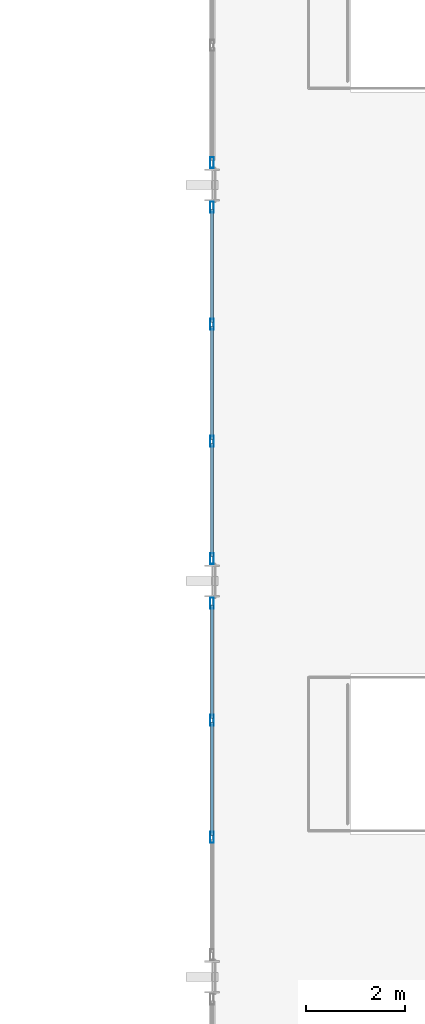
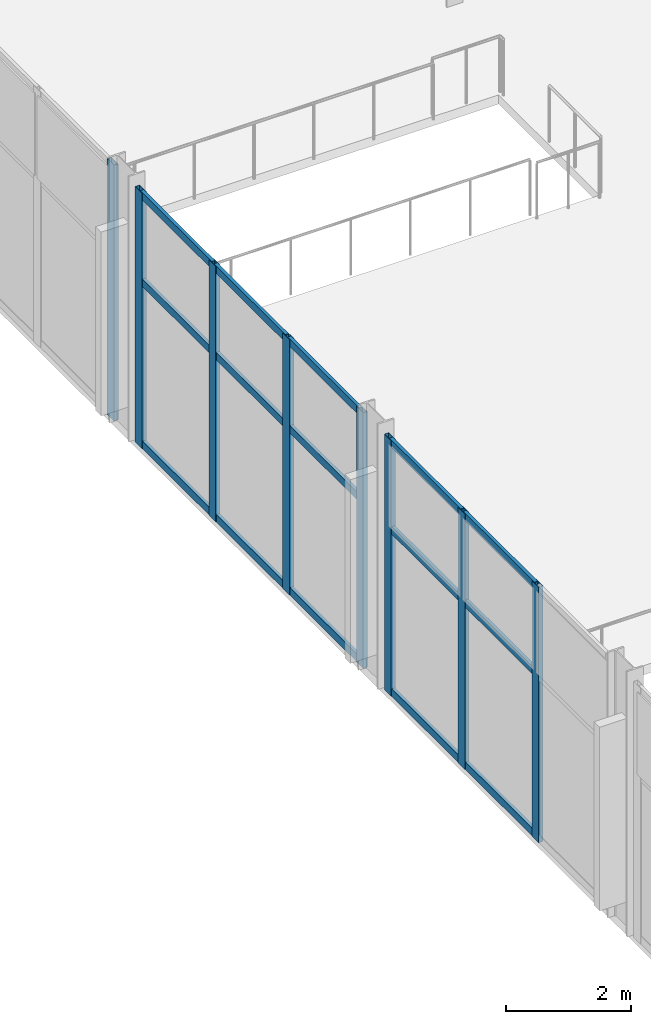
# One storey, part 31 of 195: 23 members, 3 elements without a shape of their own.
"""IFC4 building model written with IfcOpenShell, lengths in metres."""

import ifcopenshell
import ifcopenshell.guid

model = None  # the IFC model being written
_history = None  # IfcOwnerHistory: only IFC2X3 demands one
_inside = {}  # id of a spatial element -> (the spatial element, [elements in it])
_under = {}  # id of a project, library or spatial element -> (it, [spatial elements below it])
_declared = {}  # id of a project -> (the project, [libraries it declares])
_typed = {}  # id of a type object -> (the type object, [elements of that type])
_made_of = {}  # id of a material, layer set ... -> (it, [elements and type objects made of it])


def new_model(schema):
    """Start an empty IFC model of exactly this schema.

    Asked for "IFC4X3", IfcOpenShell would pick the latest addendum, in which some entities
    have other attributes; the version numbers below select the first issue.
    IFC2X3 requires an IfcOwnerHistory on every rooted entity: one is made here for all.
    """
    global model, _history
    if schema == "IFC4X3":
        model = ifcopenshell.file(schema_version=(4, 3, 0, 0))
    else:
        model = ifcopenshell.file(schema=schema)
    _inside.clear()
    _under.clear()
    _declared.clear()
    _typed.clear()
    _made_of.clear()
    _history = None
    if model.schema == "IFC2X3":
        org = make("IfcOrganization", Name="unknown")
        user = make(
            "IfcPersonAndOrganization",
            ThePerson=make("IfcPerson", FamilyName="unknown"),
            TheOrganization=org,
        )
        app = make(
            "IfcApplication",
            ApplicationDeveloper=org,
            Version="unknown",
            ApplicationFullName="unknown",
            ApplicationIdentifier="unknown",
        )
        _history = make(
            "IfcOwnerHistory",
            OwningUser=user,
            OwningApplication=app,
            ChangeAction="ADDED",
            CreationDate=0,
        )
    return model


def make(cls, **values):
    """One entity of the class cls with the attributes given. An attribute that is None is left unset."""
    return model.create_entity(
        cls, **{name: value for name, value in values.items() if value is not None}
    )


def rooted(cls, **values):
    """An entity with a GlobalId (a new one), such as an element, a storey or a relation."""
    return make(cls, GlobalId=ifcopenshell.guid.new(), OwnerHistory=_history, **values)


def si_unit(unit_type, name, prefix=None):
    """IfcSIUnit, for example si_unit("LENGTHUNIT", "METRE", prefix="MILLI")."""
    return make("IfcSIUnit", UnitType=unit_type, Prefix=prefix, Name=name)


def assignment(units):
    """IfcUnitAssignment: the units of a project."""
    return None if units is None else make("IfcUnitAssignment", Units=units)


def point(xyz):
    """IfcCartesianPoint."""
    return None if xyz is None else make("IfcCartesianPoint", Coordinates=xyz)


def direction(xyz):
    """IfcDirection."""
    return None if xyz is None else make("IfcDirection", DirectionRatios=xyz)


def frame(location, z_axis=None, x_axis=None):
    """IfcAxis2Placement3D, a coordinate frame: its origin and axes. An axis left out is left unset."""
    return make(
        "IfcAxis2Placement3D",
        Location=point(location),
        Axis=direction(z_axis),
        RefDirection=direction(x_axis),
    )


def frame_2d(location, x_axis=None):
    """IfcAxis2Placement2D, a coordinate frame in the plane: its origin and x axis."""
    return make(
        "IfcAxis2Placement2D", Location=point(location), RefDirection=direction(x_axis)
    )


def origin():
    """The frame at (0, 0, 0) with its axes left unset."""
    return frame((0.0, 0.0, 0.0))


def origin_2d():
    """The frame at (0, 0) in the plane with its x axis left unset."""
    return frame_2d((0.0, 0.0))


def place(relative_to, where):
    """IfcLocalPlacement: puts the frame where relative to a parent placement (None: the world)."""
    return make(
        "IfcLocalPlacement", PlacementRelTo=relative_to, RelativePlacement=where
    )


def context(
    kind, dimensions, precision=None, world=None, true_north=None, identifier=None
):
    """IfcGeometricRepresentationContext, for example the 3D "Model" context."""
    return make(
        "IfcGeometricRepresentationContext",
        ContextIdentifier=identifier,
        ContextType=kind,
        CoordinateSpaceDimension=dimensions,
        Precision=precision,
        WorldCoordinateSystem=world,
        TrueNorth=true_north,
    )


def subcontext(parent, identifier, kind, view, scale=None):
    """IfcGeometricRepresentationSubContext, for example "Body" below "Model"."""
    return make(
        "IfcGeometricRepresentationSubContext",
        ContextIdentifier=identifier,
        ContextType=kind,
        ParentContext=parent,
        TargetScale=scale,
        TargetView=view,
    )


def project(units=None, contexts=None):
    """IfcProject with its units and contexts."""
    return rooted(
        "IfcProject",
        Name="project",
        RepresentationContexts=contexts,
        UnitsInContext=assignment(units),
    )


def spatial(cls, under=None, at=None, **own):
    """A site, building, storey or space (cls), placed at a placement, below another one or the project."""
    s = rooted(cls, ObjectPlacement=at, **own)
    if under is not None:
        _under.setdefault(under.id(), (under, []))[1].append(s)
    return s


def profile(cls, at=None, kind="AREA", **sizes):
    """A parametric profile (cls). Its sizes go by their IFC names, for example OverallWidth=200.0."""
    return make(cls, ProfileType=kind, Position=at, **sizes)


def hollow_rectangle(**sizes):
    """IfcRectangleHollowProfileDef."""
    return profile("IfcRectangleHollowProfileDef", **sizes)


def extrude(swept, where, along, depth):
    """IfcExtrudedAreaSolid: the profile swept, set in the frame where, extruded along a direction by depth."""
    return make(
        "IfcExtrudedAreaSolid",
        SweptArea=swept,
        Position=where,
        ExtrudedDirection=direction(along),
        Depth=depth,
    )


def shape(context_of_items, identifier, shape_type, items):
    """IfcShapeRepresentation: the items that make up one representation, for example the "Body"."""
    return make(
        "IfcShapeRepresentation",
        ContextOfItems=context_of_items,
        RepresentationIdentifier=identifier,
        RepresentationType=shape_type,
        Items=items,
    )


def material(Name=None, Category=None):
    """IfcMaterial."""
    return make("IfcMaterial", Name=Name, Category=Category)


def layer(
    of_material, thickness, ventilated=None, Name=None, Category=None, Priority=None
):
    """IfcMaterialLayer: one layer of a wall or slab, of a material (None: an air gap)."""
    return make(
        "IfcMaterialLayer",
        Material=of_material,
        LayerThickness=thickness,
        IsVentilated=ventilated,
        Name=Name,
        Category=Category,
        Priority=Priority,
    )


def layer_set(layers, Name=None):
    """IfcMaterialLayerSet."""
    return make("IfcMaterialLayerSet", MaterialLayers=layers, LayerSetName=Name)


def material_profile(
    of_material, cross_section, Name=None, Category=None, Priority=None
):
    """IfcMaterialProfile: a cross section and its material."""
    return make(
        "IfcMaterialProfile",
        Name=Name,
        Material=of_material,
        Profile=cross_section,
        Priority=Priority,
        Category=Category,
    )


def profile_set(profiles, Name=None, composite=None):
    """IfcMaterialProfileSet."""
    return make(
        "IfcMaterialProfileSet",
        Name=Name,
        MaterialProfiles=profiles,
        CompositeProfile=composite,
    )


def made_of(thing, what):
    """Note that an element or type object is made of a material, layer set ...; save() writes the relation."""
    if what is not None:
        _made_of.setdefault(what.id(), (what, []))[1].append(thing)
    return thing


def type_object(cls, material=None, **own):
    """A type object (cls), such as IfcWallType, which elements share."""
    return made_of(rooted(cls, **own), material)


def element(
    cls,
    number,
    at=None,
    inside=None,
    cuts=None,
    type_object=None,
    material=None,
    context=None,
    identifier="Body",
    shape_type=None,
    held_by="IfcProductDefinitionShape",
    body=None,
    shapes=None,
    **own,
):
    """One element of the class cls, such as IfcWall. Its Tag is "e" and its number.

    at: its placement. inside: the storey or other place that contains it. cuts: it is an
    opening in that element (IfcRelVoidsElement). A single representation is given by context,
    identifier, shape_type and body (its items); several are given by shapes. held_by: the class
    of the entity that holds the representations. save() writes the other relations.
    """
    e = rooted(cls, Tag="e%d" % number, ObjectPlacement=at, **own)
    if body is not None:
        shapes = [shape(context, identifier, shape_type, body)]
    if shapes is not None:
        e.Representation = make(held_by, Representations=shapes)
    if inside is not None:
        _inside.setdefault(inside.id(), (inside, []))[1].append(e)
    if cuts is not None:
        rooted(
            "IfcRelVoidsElement", RelatingBuildingElement=cuts, RelatedOpeningElement=e
        )
    if type_object is not None:
        _typed.setdefault(type_object.id(), (type_object, []))[1].append(e)
    return made_of(e, material)


def aggregate(whole, parts):
    """IfcRelAggregates: a whole, such as a stair, and the parts it consists of."""
    return rooted("IfcRelAggregates", RelatingObject=whole, RelatedObjects=parts)


def save(model, path):
    """Write the relations noted so far, then the file.

    IfcRelAggregates (storeys below a building ...), IfcRelContainedInSpatialStructure (elements
    in a storey), IfcRelDefinesByType, IfcRelAssociatesMaterial and IfcRelDeclares: one each for
    every whole, place, type object, material and project.
    """
    for whole, parts in _under.values():
        aggregate(whole, parts)
    for where, things in _inside.values():
        rooted(
            "IfcRelContainedInSpatialStructure",
            RelatedElements=things,
            RelatingStructure=where,
        )
    for kind, things in _typed.values():
        rooted("IfcRelDefinesByType", RelatedObjects=things, RelatingType=kind)
    for what, things in _made_of.values():
        rooted("IfcRelAssociatesMaterial", RelatedObjects=things, RelatingMaterial=what)
    for by, libraries in _declared.values():
        rooted("IfcRelDeclares", RelatingContext=by, RelatedDefinitions=libraries)
    model.write(path)


model = new_model("IFC4")

# Units and contexts
model_context = context("Model", 3, precision=1e-05, world=origin(), true_north=direction((0.0, 1.0)))
body_context = subcontext(model_context, "Body", "Model", "MODEL_VIEW")
ifc_project = project(units=[si_unit("LENGTHUNIT", "METRE"), si_unit("AREAUNIT", "SQUARE_METRE"), si_unit("VOLUMEUNIT", "CUBIC_METRE"), si_unit("PLANEANGLEUNIT", "RADIAN"), si_unit("MASSUNIT", "GRAM", prefix="KILO")], contexts=[model_context])

# Site, building, storey
site_placement = place(None, origin())
site = spatial("IfcSite", under=ifc_project, at=site_placement, CompositionType="ELEMENT")
building_placement = place(site_placement, origin())
building = spatial("IfcBuilding", under=site, at=building_placement, Name="Marlcrest Central Station", CompositionType="ELEMENT")
storey_placement = place(building_placement, frame((0.0, 0.0, 9.800048828125)))
storey = spatial("IfcBuildingStorey", under=building, at=storey_placement, Name="L02", CompositionType="ELEMENT", Elevation=9.800048828125)

# Curtain wall, members
ifc_material_1 = material(Name="Anodised aluminium and hurricane laminated glass", Category="aluminium")
ifc_layer = layer(ifc_material_1, 0.219970703125, Name="CW-U1")
ifc_layer_set = layer_set([ifc_layer], Name="Anodised aluminium and hurricane laminated glass")
curtain_wall_type = type_object("IfcCurtainWallType", Name="CW-U1", PredefinedType="USERDEFINED", material=ifc_layer_set)
curtain_wall_1_placement = place(storey_placement, origin())
curtain_wall_1 = element("IfcCurtainWall", 1, at=curtain_wall_1_placement, inside=storey, type_object=curtain_wall_type, Name="cw-L02-0111", ObjectType="UNITISED_CURTAIN_WALL", PredefinedType="USERDEFINED")
ifc_material_2 = material(Name="Anodised aluminium 6063-T6", Category="aluminium")
ifc_material_profile_1 = material_profile(ifc_material_2, hollow_rectangle(XDim=0.080078125, YDim=0.219970703125, WallThickness=0.006103515625, at=origin_2d()), Name="AA-RHS 220x80x6")
ifc_profile_set_1 = profile_set([ifc_material_profile_1], Name="Anodised aluminium 6063-T6")
member_type_1 = type_object("IfcMemberType", Name="ML-01", PredefinedType="MULLION", material=ifc_profile_set_1)
member_1_placement = place(storey_placement, frame((87.0, 49.316650390625, -0.030029296875), z_axis=(0.0, 0.0, 1.0), x_axis=(1.0, 0.0, 0.0)))
member_1 = element("IfcMember", 2, at=member_1_placement, type_object=member_type_1, Name="cw-L02-0111-ml-1", PredefinedType="MULLION", context=body_context, shape_type="SweptSolid", body=[
    extrude(hollow_rectangle(XDim=0.080078125, YDim=0.219970703125, WallThickness=0.006103515625, at=origin_2d()), origin(), (0.0, 0.0, 1.0), 5.010009765625),
])
member_2_placement = place(storey_placement, frame((87.0, 51.683349609375, -0.030029296875), z_axis=(0.0, 0.0, 1.0), x_axis=(1.0, 0.0, 0.0)))
member_2 = element("IfcMember", 3, at=member_2_placement, type_object=member_type_1, Name="cw-L02-0111-ml-2", PredefinedType="MULLION", context=body_context, shape_type="SweptSolid", body=[
    extrude(hollow_rectangle(XDim=0.080078125, YDim=0.219970703125, WallThickness=0.006103515625, at=origin_2d()), origin(), (0.0, 0.0, 1.0), 5.010009765625),
])
member_3_placement = place(storey_placement, frame((87.0, 54.050048828125, -0.030029296875), z_axis=(0.0, 0.0, 1.0), x_axis=(1.0, 0.0, 0.0)))
member_3 = element("IfcMember", 4, at=member_3_placement, type_object=member_type_1, Name="cw-L02-0111-ml-3", PredefinedType="MULLION", context=body_context, shape_type="SweptSolid", body=[
    extrude(hollow_rectangle(XDim=0.080078125, YDim=0.219970703125, WallThickness=0.006103515625, at=origin_2d()), origin(), (0.0, 0.0, 1.0), 5.010009765625),
])

curtain_wall_2_placement = place(storey_placement, origin())
curtain_wall_2 = element("IfcCurtainWall", 5, at=curtain_wall_2_placement, inside=storey, type_object=curtain_wall_type, Name="cw-L02-0115", ObjectType="UNITISED_CURTAIN_WALL", PredefinedType="USERDEFINED")
member_4_placement = place(storey_placement, frame((87.0, 54.949951171875, -0.030029296875), z_axis=(0.0, 0.0, 1.0), x_axis=(1.0, 0.0, 0.0)))
member_4 = element("IfcMember", 6, at=member_4_placement, type_object=member_type_1, Name="cw-L02-0115-ml-0", PredefinedType="MULLION", context=body_context, shape_type="SweptSolid", body=[
    extrude(hollow_rectangle(XDim=0.080078125, YDim=0.219970703125, WallThickness=0.006103515625, at=origin_2d()), origin(), (0.0, 0.0, 1.0), 5.010009765625),
])
member_5_placement = place(storey_placement, frame((87.0, 57.316650390625, -0.030029296875), z_axis=(0.0, 0.0, 1.0), x_axis=(1.0, 0.0, 0.0)))
member_5 = element("IfcMember", 7, at=member_5_placement, type_object=member_type_1, Name="cw-L02-0115-ml-1", PredefinedType="MULLION", context=body_context, shape_type="SweptSolid", body=[
    extrude(hollow_rectangle(XDim=0.080078125, YDim=0.219970703125, WallThickness=0.006103515625, at=origin_2d()), origin(), (0.0, 0.0, 1.0), 5.010009765625),
])
member_6_placement = place(storey_placement, frame((87.0, 59.683349609375, -0.030029296875), z_axis=(0.0, 0.0, 1.0), x_axis=(1.0, 0.0, 0.0)))
member_6 = element("IfcMember", 8, at=member_6_placement, type_object=member_type_1, Name="cw-L02-0115-ml-2", PredefinedType="MULLION", context=body_context, shape_type="SweptSolid", body=[
    extrude(hollow_rectangle(XDim=0.080078125, YDim=0.219970703125, WallThickness=0.006103515625, at=origin_2d()), origin(), (0.0, 0.0, 1.0), 5.010009765625),
])
member_7_placement = place(storey_placement, frame((87.0, 62.050048828125, -0.030029296875), z_axis=(0.0, 0.0, 1.0), x_axis=(1.0, 0.0, 0.0)))
member_7 = element("IfcMember", 9, at=member_7_placement, type_object=member_type_1, Name="cw-L02-0115-ml-3", PredefinedType="MULLION", context=body_context, shape_type="SweptSolid", body=[
    extrude(hollow_rectangle(XDim=0.080078125, YDim=0.219970703125, WallThickness=0.006103515625, at=origin_2d()), origin(), (0.0, 0.0, 1.0), 5.010009765625),
])

# Curtain wall, member
curtain_wall_3_placement = place(storey_placement, origin())
curtain_wall_3 = element("IfcCurtainWall", 10, at=curtain_wall_3_placement, inside=storey, type_object=curtain_wall_type, Name="cw-L02-0119", ObjectType="UNITISED_CURTAIN_WALL", PredefinedType="USERDEFINED")
member_8_placement = place(storey_placement, frame((87.0, 62.949951171875, -0.030029296875), z_axis=(0.0, 0.0, 1.0), x_axis=(1.0, 0.0, 0.0)))
member_8 = element("IfcMember", 11, at=member_8_placement, type_object=member_type_1, Name="cw-L02-0119-ml-0", PredefinedType="MULLION", context=body_context, shape_type="SweptSolid", body=[
    extrude(hollow_rectangle(XDim=0.080078125, YDim=0.219970703125, WallThickness=0.006103515625, at=origin_2d()), origin(), (0.0, 0.0, 1.0), 5.010009765625),
])
aggregate(curtain_wall_3, [member_8])

# Member
ifc_material_profile_2 = material_profile(ifc_material_2, hollow_rectangle(XDim=0.06005859375, YDim=0.14990234375, WallThickness=0.00390625, at=origin_2d()), Name="AA-RHS 150x60x4")
ifc_profile_set_2 = profile_set([ifc_material_profile_2], Name="Anodised aluminium 6063-T6")
member_type_2 = type_object("IfcMemberType", Name="TR-01", PredefinedType="USERDEFINED", material=ifc_profile_set_2)
member_9_placement = place(storey_placement, frame((87.0, 49.354736328125, 0.0400390625), z_axis=(0.0, 1.0, 0.0), x_axis=(-1.0, 0.0, 0.0)))
member_9 = element("IfcMember", 12, at=member_9_placement, type_object=member_type_2, Name="cw-L02-0111-tr-1-sill", ObjectType="TRANSOM", PredefinedType="USERDEFINED", context=body_context, shape_type="SweptSolid", body=[
    extrude(hollow_rectangle(XDim=0.06005859375, YDim=0.14990234375, WallThickness=0.00390625, at=origin_2d()), origin(), (0.0, 0.0, 1.0), 2.29052734375),
])

member_10_placement = place(storey_placement, frame((87.0, 49.354736328125, 3.218017578125), z_axis=(0.0, 1.0, 0.0), x_axis=(-1.0, 0.0, 0.0)))
member_10 = element("IfcMember", 13, at=member_10_placement, type_object=member_type_2, Name="cw-L02-0111-tr-1-mid", ObjectType="TRANSOM", PredefinedType="USERDEFINED", context=body_context, shape_type="SweptSolid", body=[
    extrude(hollow_rectangle(XDim=0.06005859375, YDim=0.14990234375, WallThickness=0.00390625, at=origin_2d()), origin(), (0.0, 0.0, 1.0), 2.29052734375),
])

member_11_placement = place(storey_placement, frame((87.0, 49.354736328125, 4.909912109375), z_axis=(0.0, 1.0, 0.0), x_axis=(-1.0, 0.0, 0.0)))
member_11 = element("IfcMember", 14, at=member_11_placement, type_object=member_type_2, Name="cw-L02-0111-tr-1-head", ObjectType="TRANSOM", PredefinedType="USERDEFINED", context=body_context, shape_type="SweptSolid", body=[
    extrude(hollow_rectangle(XDim=0.06005859375, YDim=0.14990234375, WallThickness=0.00390625, at=origin_2d()), origin(), (0.0, 0.0, 1.0), 2.29052734375),
])

member_12_placement = place(storey_placement, frame((87.0, 51.72119140625, 0.0400390625), z_axis=(0.0, 1.0, 0.0), x_axis=(-1.0, 0.0, 0.0)))
member_12 = element("IfcMember", 15, at=member_12_placement, type_object=member_type_2, Name="cw-L02-0111-tr-2-sill", ObjectType="TRANSOM", PredefinedType="USERDEFINED", context=body_context, shape_type="SweptSolid", body=[
    extrude(hollow_rectangle(XDim=0.06005859375, YDim=0.14990234375, WallThickness=0.00390625, at=origin_2d()), origin(), (0.0, 0.0, 1.0), 2.290771484375),
])

member_13_placement = place(storey_placement, frame((87.0, 51.72119140625, 3.218017578125), z_axis=(0.0, 1.0, 0.0), x_axis=(-1.0, 0.0, 0.0)))
member_13 = element("IfcMember", 16, at=member_13_placement, type_object=member_type_2, Name="cw-L02-0111-tr-2-mid", ObjectType="TRANSOM", PredefinedType="USERDEFINED", context=body_context, shape_type="SweptSolid", body=[
    extrude(hollow_rectangle(XDim=0.06005859375, YDim=0.14990234375, WallThickness=0.00390625, at=origin_2d()), origin(), (0.0, 0.0, 1.0), 2.290771484375),
])

member_14_placement = place(storey_placement, frame((87.0, 51.72119140625, 4.909912109375), z_axis=(0.0, 1.0, 0.0), x_axis=(-1.0, 0.0, 0.0)))
member_14 = element("IfcMember", 17, at=member_14_placement, type_object=member_type_2, Name="cw-L02-0111-tr-2-head", ObjectType="TRANSOM", PredefinedType="USERDEFINED", context=body_context, shape_type="SweptSolid", body=[
    extrude(hollow_rectangle(XDim=0.06005859375, YDim=0.14990234375, WallThickness=0.00390625, at=origin_2d()), origin(), (0.0, 0.0, 1.0), 2.290771484375),
])

aggregate(curtain_wall_1, [member_1, member_2, member_3, member_9, member_10, member_11, member_12, member_13, member_14])

member_15_placement = place(storey_placement, frame((87.0, 54.988037109375, 0.0400390625), z_axis=(0.0, 1.0, 0.0), x_axis=(-1.0, 0.0, 0.0)))
member_15 = element("IfcMember", 18, at=member_15_placement, type_object=member_type_2, Name="cw-L02-0115-tr-0-sill", ObjectType="TRANSOM", PredefinedType="USERDEFINED", context=body_context, shape_type="SweptSolid", body=[
    extrude(hollow_rectangle(XDim=0.06005859375, YDim=0.14990234375, WallThickness=0.00390625, at=origin_2d()), origin(), (0.0, 0.0, 1.0), 2.290771484375),
])

member_16_placement = place(storey_placement, frame((87.0, 54.988037109375, 3.218017578125), z_axis=(0.0, 1.0, 0.0), x_axis=(-1.0, 0.0, 0.0)))
member_16 = element("IfcMember", 19, at=member_16_placement, type_object=member_type_2, Name="cw-L02-0115-tr-0-mid", ObjectType="TRANSOM", PredefinedType="USERDEFINED", context=body_context, shape_type="SweptSolid", body=[
    extrude(hollow_rectangle(XDim=0.06005859375, YDim=0.14990234375, WallThickness=0.00390625, at=origin_2d()), origin(), (0.0, 0.0, 1.0), 2.290771484375),
])

member_17_placement = place(storey_placement, frame((87.0, 54.988037109375, 4.909912109375), z_axis=(0.0, 1.0, 0.0), x_axis=(-1.0, 0.0, 0.0)))
member_17 = element("IfcMember", 20, at=member_17_placement, type_object=member_type_2, Name="cw-L02-0115-tr-0-head", ObjectType="TRANSOM", PredefinedType="USERDEFINED", context=body_context, shape_type="SweptSolid", body=[
    extrude(hollow_rectangle(XDim=0.06005859375, YDim=0.14990234375, WallThickness=0.00390625, at=origin_2d()), origin(), (0.0, 0.0, 1.0), 2.290771484375),
])

member_18_placement = place(storey_placement, frame((87.0, 57.354736328125, 0.0400390625), z_axis=(0.0, 1.0, 0.0), x_axis=(-1.0, 0.0, 0.0)))
member_18 = element("IfcMember", 21, at=member_18_placement, type_object=member_type_2, Name="cw-L02-0115-tr-1-sill", ObjectType="TRANSOM", PredefinedType="USERDEFINED", context=body_context, shape_type="SweptSolid", body=[
    extrude(hollow_rectangle(XDim=0.06005859375, YDim=0.14990234375, WallThickness=0.00390625, at=origin_2d()), origin(), (0.0, 0.0, 1.0), 2.29052734375),
])

member_19_placement = place(storey_placement, frame((87.0, 57.354736328125, 3.218017578125), z_axis=(0.0, 1.0, 0.0), x_axis=(-1.0, 0.0, 0.0)))
member_19 = element("IfcMember", 22, at=member_19_placement, type_object=member_type_2, Name="cw-L02-0115-tr-1-mid", ObjectType="TRANSOM", PredefinedType="USERDEFINED", context=body_context, shape_type="SweptSolid", body=[
    extrude(hollow_rectangle(XDim=0.06005859375, YDim=0.14990234375, WallThickness=0.00390625, at=origin_2d()), origin(), (0.0, 0.0, 1.0), 2.29052734375),
])

member_20_placement = place(storey_placement, frame((87.0, 57.354736328125, 4.909912109375), z_axis=(0.0, 1.0, 0.0), x_axis=(-1.0, 0.0, 0.0)))
member_20 = element("IfcMember", 23, at=member_20_placement, type_object=member_type_2, Name="cw-L02-0115-tr-1-head", ObjectType="TRANSOM", PredefinedType="USERDEFINED", context=body_context, shape_type="SweptSolid", body=[
    extrude(hollow_rectangle(XDim=0.06005859375, YDim=0.14990234375, WallThickness=0.00390625, at=origin_2d()), origin(), (0.0, 0.0, 1.0), 2.29052734375),
])

member_21_placement = place(storey_placement, frame((87.0, 59.72119140625, 0.0400390625), z_axis=(0.0, 1.0, 0.0), x_axis=(-1.0, 0.0, 0.0)))
member_21 = element("IfcMember", 24, at=member_21_placement, type_object=member_type_2, Name="cw-L02-0115-tr-2-sill", ObjectType="TRANSOM", PredefinedType="USERDEFINED", context=body_context, shape_type="SweptSolid", body=[
    extrude(hollow_rectangle(XDim=0.06005859375, YDim=0.14990234375, WallThickness=0.00390625, at=origin_2d()), origin(), (0.0, 0.0, 1.0), 2.290771484375),
])

member_22_placement = place(storey_placement, frame((87.0, 59.72119140625, 3.218017578125), z_axis=(0.0, 1.0, 0.0), x_axis=(-1.0, 0.0, 0.0)))
member_22 = element("IfcMember", 25, at=member_22_placement, type_object=member_type_2, Name="cw-L02-0115-tr-2-mid", ObjectType="TRANSOM", PredefinedType="USERDEFINED", context=body_context, shape_type="SweptSolid", body=[
    extrude(hollow_rectangle(XDim=0.06005859375, YDim=0.14990234375, WallThickness=0.00390625, at=origin_2d()), origin(), (0.0, 0.0, 1.0), 2.290771484375),
])

member_23_placement = place(storey_placement, frame((87.0, 59.72119140625, 4.909912109375), z_axis=(0.0, 1.0, 0.0), x_axis=(-1.0, 0.0, 0.0)))
member_23 = element("IfcMember", 26, at=member_23_placement, type_object=member_type_2, Name="cw-L02-0115-tr-2-head", ObjectType="TRANSOM", PredefinedType="USERDEFINED", context=body_context, shape_type="SweptSolid", body=[
    extrude(hollow_rectangle(XDim=0.06005859375, YDim=0.14990234375, WallThickness=0.00390625, at=origin_2d()), origin(), (0.0, 0.0, 1.0), 2.290771484375),
])

aggregate(curtain_wall_2, [member_4, member_5, member_6, member_7, member_15, member_16, member_17, member_18, member_19, member_20, member_21, member_22, member_23])

save(model, "model.ifc")
